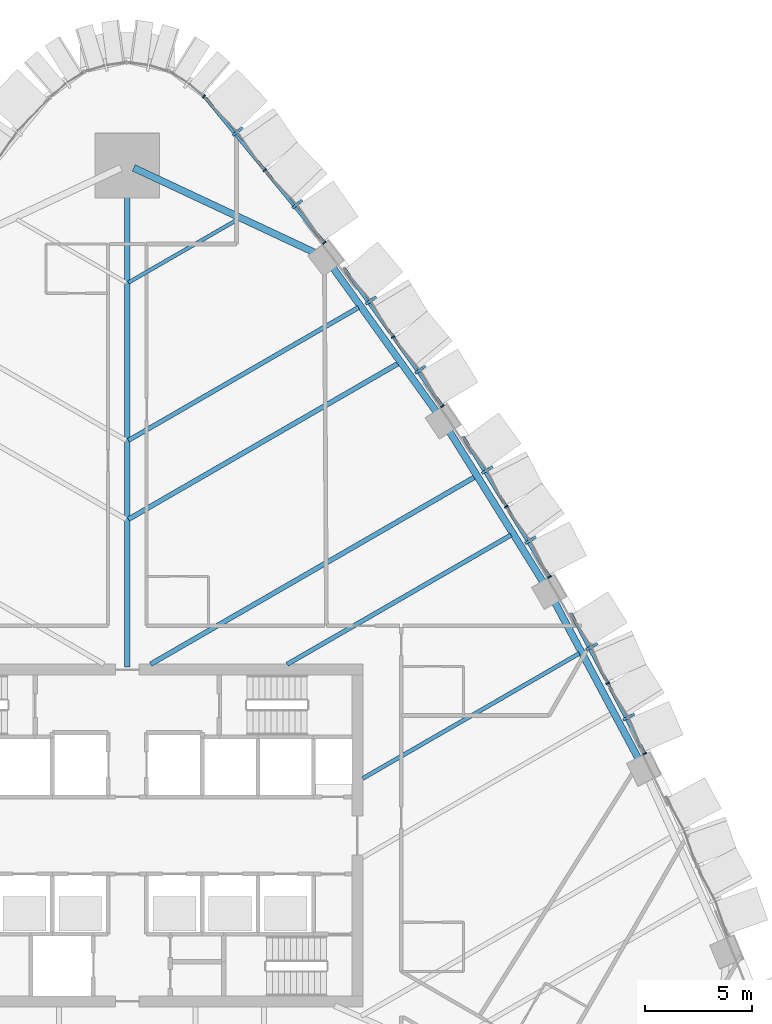
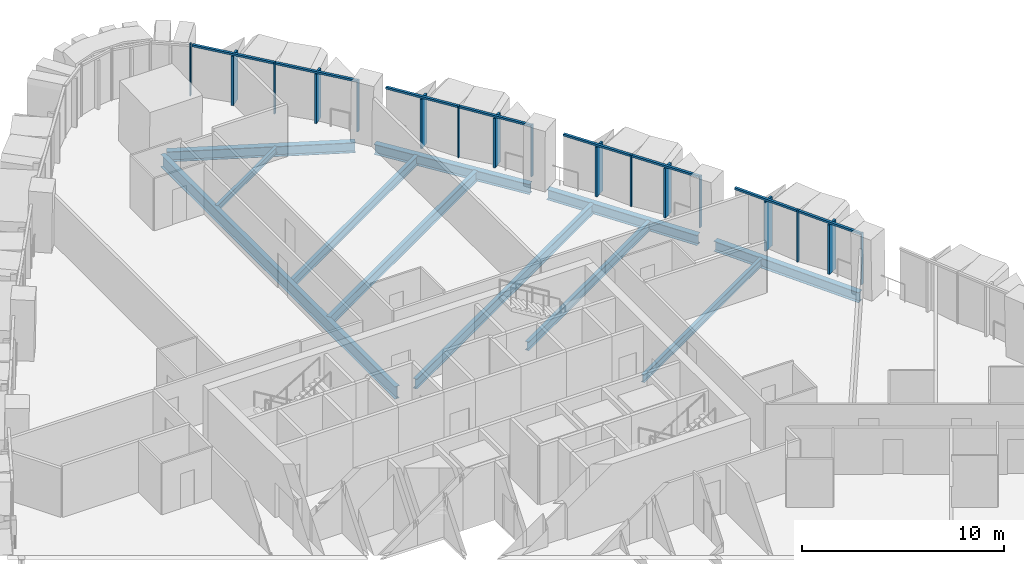
# One storey, part 7 of 23: 25 members, 11 beams, 5 elements without a shape of their own.
"""IFC4 building model written with IfcOpenShell, lengths in metres."""

from ifc_helpers import new_model, si_unit, direction, frame, origin, origin_2d, place, context, subcontext, project, spatial, rectangle, i_section, extrude, material, layer, layer_set, material_profile, profile_set, type_object, element, aggregate, save


model = new_model("IFC4")

# Units and contexts
model_context = context("Model", 3, precision=1e-05, world=origin(), true_north=direction((0.0, 1.0)))
body_context = subcontext(model_context, "Body", "Model", "MODEL_VIEW")
ifc_project = project(units=[si_unit("LENGTHUNIT", "METRE"), si_unit("AREAUNIT", "SQUARE_METRE"), si_unit("VOLUMEUNIT", "CUBIC_METRE"), si_unit("PLANEANGLEUNIT", "RADIAN"), si_unit("MASSUNIT", "GRAM", prefix="KILO")], contexts=[model_context])

# Site, building, storey
site_placement = place(None, origin())
site = spatial("IfcSite", under=ifc_project, at=site_placement, CompositionType="ELEMENT")
building_placement = place(site_placement, origin())
building = spatial("IfcBuilding", under=site, at=building_placement, Name="Sierra Prisma Convention Tower", CompositionType="ELEMENT")
storey_placement = place(building_placement, frame((0.0, 0.0, 51.699951171875)))
storey = spatial("IfcBuildingStorey", under=building, at=storey_placement, Name="L08", CompositionType="ELEMENT", Elevation=51.699951171875)

# Curtain wall, members
ifc_material_1 = material(Name="Aluminium and glass curtain wall", Category="aluminium")
ifc_layer = layer(ifc_material_1, 0.179931640625)
ifc_layer_set = layer_set([ifc_layer], Name="CW-2 Faceted crystal curtain wall")
curtain_wall_type = type_object("IfcCurtainWallType", Name="CW-2 Faceted crystal curtain wall", PredefinedType="NOTDEFINED", material=ifc_layer_set)
curtain_wall_1_placement = place(storey_placement, origin())
curtain_wall_1 = element("IfcCurtainWall", 1, at=curtain_wall_1_placement, inside=storey, type_object=curtain_wall_type, Name="CW-2 NE3 L08", PredefinedType="NOTDEFINED")
ifc_material_2 = material(Name="Aluminium 6063-T6 bronze anodised", Category="aluminium")
ifc_material_profile_1 = material_profile(ifc_material_2, rectangle(XDim=0.1201171875, YDim=0.60009765625, at=origin_2d()), Name="ALU RIDGE BLADE 120x600")
ifc_profile_set_1 = profile_set([ifc_material_profile_1], Name="Aluminium 6063-T6 bronze anodised")
member_type_1 = type_object("IfcMemberType", Name="CW hip bronze", PredefinedType="MULLION", material=ifc_profile_set_1)
member_1_placement = place(storey_placement, frame((23.431396484375, 5.53466796875, 0.0), z_axis=(0.0, 0.0, 1.0), x_axis=(-0.466051898394, 0.884757383695, 0.0)))
member_1 = element("IfcMember", 2, at=member_1_placement, type_object=member_type_1, Name="CW-2 ridge NE3.1", PredefinedType="MULLION", context=body_context, shape_type="SweptSolid", body=[
    extrude(rectangle(XDim=0.1201171875, YDim=0.60009765625, at=origin_2d()), origin(), (0.0, 0.0, 1.0), 2.97998046875),
])
member_2_placement = place(storey_placement, frame((21.70068359375, 8.820068359375, 0.0), z_axis=(0.0, 0.0, 1.0), x_axis=(-0.466051898394, 0.884757383695, 0.0)))
member_2 = element("IfcMember", 3, at=member_2_placement, type_object=member_type_1, Name="CW-2 ridge NE3.2", PredefinedType="MULLION", context=body_context, shape_type="SweptSolid", body=[
    extrude(rectangle(XDim=0.1201171875, YDim=0.60009765625, at=origin_2d()), origin(), (0.0, 0.0, 1.0), 2.97998046875),
])

curtain_wall_2_placement = place(storey_placement, origin())
curtain_wall_2 = element("IfcCurtainWall", 4, at=curtain_wall_2_placement, inside=storey, type_object=curtain_wall_type, Name="CW-2 NE4 L08", PredefinedType="NOTDEFINED")
member_3_placement = place(storey_placement, frame((18.837646484375, 13.796875, 0.0), z_axis=(0.0, 0.0, 1.0), x_axis=(-0.524691664455, 0.85129234535, 0.0)))
member_3 = element("IfcMember", 5, at=member_3_placement, type_object=member_type_1, Name="CW-2 ridge NE4.1", PredefinedType="MULLION", context=body_context, shape_type="SweptSolid", body=[
    extrude(rectangle(XDim=0.1201171875, YDim=0.60009765625, at=origin_2d()), origin(), (0.0, 0.0, 1.0), 2.97998046875),
])
member_4_placement = place(storey_placement, frame((16.816650390625, 17.07568359375, 0.0), z_axis=(0.0, 0.0, 1.0), x_axis=(-0.524691664455, 0.85129234535, 0.0)))
member_4 = element("IfcMember", 6, at=member_4_placement, type_object=member_type_1, Name="CW-2 ridge NE4.2", PredefinedType="MULLION", context=body_context, shape_type="SweptSolid", body=[
    extrude(rectangle(XDim=0.1201171875, YDim=0.60009765625, at=origin_2d()), origin(), (0.0, 0.0, 1.0), 2.97998046875),
])

curtain_wall_3_placement = place(storey_placement, origin())
curtain_wall_3 = element("IfcCurtainWall", 7, at=curtain_wall_3_placement, inside=storey, type_object=curtain_wall_type, Name="CW-2 NE5 L08", PredefinedType="NOTDEFINED")
member_5_placement = place(storey_placement, frame((13.692626953125, 21.759033203125, 0.0), z_axis=(0.0, 0.0, 1.0), x_axis=(-0.580939607308, 0.813946664506, 0.0)))
member_5 = element("IfcMember", 8, at=member_5_placement, type_object=member_type_1, Name="CW-2 ridge NE5.1", PredefinedType="MULLION", context=body_context, shape_type="SweptSolid", body=[
    extrude(rectangle(XDim=0.1201171875, YDim=0.60009765625, at=origin_2d()), origin(), (0.0, 0.0, 1.0), 2.97998046875),
])
member_6_placement = place(storey_placement, frame((11.385009765625, 24.9921875, 0.0), z_axis=(0.0, 0.0, 1.0), x_axis=(-0.580939607308, 0.813946664506, 0.0)))
member_6 = element("IfcMember", 9, at=member_6_placement, type_object=member_type_1, Name="CW-2 ridge NE5.2", PredefinedType="MULLION", context=body_context, shape_type="SweptSolid", body=[
    extrude(rectangle(XDim=0.1201171875, YDim=0.60009765625, at=origin_2d()), origin(), (0.0, 0.0, 1.0), 2.97998046875),
])

curtain_wall_4_placement = place(storey_placement, origin())
curtain_wall_4 = element("IfcCurtainWall", 10, at=curtain_wall_4_placement, inside=storey, type_object=curtain_wall_type, Name="CW-2 NE6 L08", PredefinedType="NOTDEFINED")
member_7_placement = place(storey_placement, frame((7.942626953125, 29.490234375, 0.0), z_axis=(0.0, 0.0, 1.0), x_axis=(-0.634539318992, 0.772890582588, 0.0)))
member_7 = element("IfcMember", 11, at=member_7_placement, type_object=member_type_1, Name="CW-2 ridge NE6.1", PredefinedType="MULLION", context=body_context, shape_type="SweptSolid", body=[
    extrude(rectangle(XDim=0.1201171875, YDim=0.60009765625, at=origin_2d()), origin(), (0.0, 0.0, 1.0), 2.97998046875),
])
member_8_placement = place(storey_placement, frame((5.15673828125, 32.883544921875, 0.0), z_axis=(0.0, 0.0, 1.0), x_axis=(-0.634539318992, 0.772890582588, 0.0)))
member_8 = element("IfcMember", 12, at=member_8_placement, type_object=member_type_1, Name="CW-2 ridge NE6.2", PredefinedType="MULLION", context=body_context, shape_type="SweptSolid", body=[
    extrude(rectangle(XDim=0.1201171875, YDim=0.60009765625, at=origin_2d()), origin(), (0.0, 0.0, 1.0), 2.97998046875),
])

# Member
ifc_material_3 = material(Name="Aluminium 6063-T6 bronze anodised", Category="aluminium")
ifc_material_profile_2 = material_profile(ifc_material_3, rectangle(XDim=0.179931640625, YDim=0.070068359375, at=origin_2d()), Name="ALU MULLION 70x180")
ifc_profile_set_2 = profile_set([ifc_material_profile_2], Name="Aluminium 6063-T6 bronze anodised")
member_type_2 = type_object("IfcMemberType", Name="CW mullion bronze", PredefinedType="MULLION", material=ifc_profile_set_2)
member_9_placement = place(storey_placement, frame((24.169921875, 3.824951171875, 0.0), z_axis=(0.0, 0.0, 1.0), x_axis=(-0.884757383695, -0.466051898394, 0.0)))
member_9 = element("IfcMember", 13, at=member_9_placement, type_object=member_type_2, Name="CW-1 mullion NE3.1", PredefinedType="MULLION", context=body_context, shape_type="SweptSolid", body=[
    extrude(rectangle(XDim=0.179931640625, YDim=0.070068359375, at=origin_2d()), origin(), (0.0, 0.0, 1.0), 3.10009765625),
])

member_10_placement = place(storey_placement, frame((22.439208984375, 7.110595703125, 0.0), z_axis=(0.0, 0.0, 1.0), x_axis=(-0.884757383695, -0.466051898394, 0.0)))
member_10 = element("IfcMember", 14, at=member_10_placement, type_object=member_type_2, Name="CW-1 mullion NE3.2", PredefinedType="MULLION", context=body_context, shape_type="SweptSolid", body=[
    extrude(rectangle(XDim=0.179931640625, YDim=0.070068359375, at=origin_2d()), origin(), (0.0, 0.0, 1.0), 3.10009765625),
])

member_11_placement = place(storey_placement, frame((19.721435546875, 12.079345703125, 0.0), z_axis=(0.0, 0.0, 1.0), x_axis=(-0.85129234535, -0.524691664455, 0.0)))
member_11 = element("IfcMember", 15, at=member_11_placement, type_object=member_type_2, Name="CW-1 mullion NE4.1", PredefinedType="MULLION", context=body_context, shape_type="SweptSolid", body=[
    extrude(rectangle(XDim=0.179931640625, YDim=0.070068359375, at=origin_2d()), origin(), (0.0, 0.0, 1.0), 3.10009765625),
])

member_12_placement = place(storey_placement, frame((17.700439453125, 15.358154296875, 0.0), z_axis=(0.0, 0.0, 1.0), x_axis=(-0.85129234535, -0.524691664455, 0.0)))
member_12 = element("IfcMember", 16, at=member_12_placement, type_object=member_type_2, Name="CW-1 mullion NE4.2", PredefinedType="MULLION", context=body_context, shape_type="SweptSolid", body=[
    extrude(rectangle(XDim=0.179931640625, YDim=0.070068359375, at=origin_2d()), origin(), (0.0, 0.0, 1.0), 3.10009765625),
])

member_13_placement = place(storey_placement, frame((14.7216796875, 20.052978515625, 0.0), z_axis=(0.0, 0.0, 1.0), x_axis=(-0.813946664506, -0.580939607308, 0.0)))
member_13 = element("IfcMember", 17, at=member_13_placement, type_object=member_type_2, Name="CW-1 mullion NE5.1", PredefinedType="MULLION", context=body_context, shape_type="SweptSolid", body=[
    extrude(rectangle(XDim=0.179931640625, YDim=0.070068359375, at=origin_2d()), origin(), (0.0, 0.0, 1.0), 3.10009765625),
])

member_14_placement = place(storey_placement, frame((12.413818359375, 23.286376953125, 0.0), z_axis=(0.0, 0.0, 1.0), x_axis=(-0.813946664506, -0.580939607308, 0.0)))
member_14 = element("IfcMember", 18, at=member_14_placement, type_object=member_type_2, Name="CW-1 mullion NE5.2", PredefinedType="MULLION", context=body_context, shape_type="SweptSolid", body=[
    extrude(rectangle(XDim=0.179931640625, YDim=0.070068359375, at=origin_2d()), origin(), (0.0, 0.0, 1.0), 3.10009765625),
])

member_15_placement = place(storey_placement, frame((9.2041015625, 27.685791015625, 0.0), z_axis=(0.0, 0.0, 1.0), x_axis=(-0.772890582588, -0.634539318992, 0.0)))
member_15 = element("IfcMember", 19, at=member_15_placement, type_object=member_type_2, Name="CW-1 mullion NE6.1", PredefinedType="MULLION", context=body_context, shape_type="SweptSolid", body=[
    extrude(rectangle(XDim=0.179931640625, YDim=0.070068359375, at=origin_2d()), origin(), (0.0, 0.0, 1.0), 3.10009765625),
])

member_16_placement = place(storey_placement, frame((6.418212890625, 31.0791015625, 0.0), z_axis=(0.0, 0.0, 1.0), x_axis=(-0.772890582588, -0.634539318992, 0.0)))
member_16 = element("IfcMember", 20, at=member_16_placement, type_object=member_type_2, Name="CW-1 mullion NE6.2", PredefinedType="MULLION", context=body_context, shape_type="SweptSolid", body=[
    extrude(rectangle(XDim=0.179931640625, YDim=0.070068359375, at=origin_2d()), origin(), (0.0, 0.0, 1.0), 3.10009765625),
])

# Curtain wall, member
curtain_wall_5_placement = place(storey_placement, origin())
curtain_wall_5 = element("IfcCurtainWall", 21, at=curtain_wall_5_placement, inside=storey, type_object=curtain_wall_type, Name="CW-2 N1 L08", PredefinedType="NOTDEFINED")
member_17_placement = place(storey_placement, frame((3.582275390625, 34.520263671875, 0.0), z_axis=(0.0, 0.0, 1.0), x_axis=(-0.594958773101, -0.803756218209, 0.0)))
member_17 = element("IfcMember", 22, at=member_17_placement, type_object=member_type_2, Name="CW-1 mullion N1.1", PredefinedType="MULLION", context=body_context, shape_type="SweptSolid", body=[
    extrude(rectangle(XDim=0.179931640625, YDim=0.070068359375, at=origin_2d()), origin(), (0.0, 0.0, 1.0), 3.10009765625),
])
aggregate(curtain_wall_5, [member_17])

# Member
ifc_material_4 = material(Name="Aluminium 6063-T6 bronze anodised", Category="aluminium")
ifc_material_profile_3 = material_profile(ifc_material_4, rectangle(XDim=0.139892578125, YDim=0.1201171875, at=origin_2d()), Name="ALU TRANSOM 120x140")
ifc_profile_set_3 = profile_set([ifc_material_profile_3], Name="Aluminium 6063-T6 bronze anodised")
member_type_3 = type_object("IfcMemberType", Name="CW transom bronze", PredefinedType="USERDEFINED", material=ifc_profile_set_3)
member_18_placement = place(storey_placement, frame((24.153564453125, 3.85595703125, 3.0400390625), z_axis=(-0.46603638557, 0.884765555006, 0.0), x_axis=(-0.884765555006, -0.46603638557, 0.0)))
member_18 = element("IfcMember", 23, at=member_18_placement, type_object=member_type_3, Name="CW-1 transom NE3.1", ObjectType="TRANSOM", PredefinedType="USERDEFINED", context=body_context, shape_type="SweptSolid", body=[
    extrude(rectangle(XDim=0.139892578125, YDim=0.1201171875, at=origin_2d()), origin(), (0.0, 0.0, 1.0), 3.6435546875),
])

member_19_placement = place(storey_placement, frame((22.4228515625, 7.1416015625, 3.0400390625), z_axis=(-0.466064016334, 0.884751000383, 0.0), x_axis=(-0.884751000383, -0.466064016334, 0.0)))
member_19 = element("IfcMember", 24, at=member_19_placement, type_object=member_type_3, Name="CW-1 transom NE3.2", ObjectType="TRANSOM", PredefinedType="USERDEFINED", context=body_context, shape_type="SweptSolid", body=[
    extrude(rectangle(XDim=0.139892578125, YDim=0.1201171875, at=origin_2d()), origin(), (0.0, 0.0, 1.0), 3.643310546875),
])

aggregate(curtain_wall_1, [member_9, member_10, member_18, member_1, member_19, member_2])

member_20_placement = place(storey_placement, frame((19.702880859375, 12.109375, 3.0400390625), z_axis=(-0.524713280954, 0.851279021702, 0.0), x_axis=(-0.851279021702, -0.524713280954, 0.0)))
member_20 = element("IfcMember", 25, at=member_20_placement, type_object=member_type_3, Name="CW-1 transom NE4.1", ObjectType="TRANSOM", PredefinedType="USERDEFINED", context=body_context, shape_type="SweptSolid", body=[
    extrude(rectangle(XDim=0.139892578125, YDim=0.1201171875, at=origin_2d()), origin(), (0.0, 0.0, 1.0), 3.78125),
])

member_21_placement = place(storey_placement, frame((17.68212890625, 15.387939453125, 3.0400390625), z_axis=(-0.524684442867, 0.851296796314, 0.0), x_axis=(-0.851296796314, -0.524684442867, 0.0)))
member_21 = element("IfcMember", 26, at=member_21_placement, type_object=member_type_3, Name="CW-1 transom NE4.2", ObjectType="TRANSOM", PredefinedType="USERDEFINED", context=body_context, shape_type="SweptSolid", body=[
    extrude(rectangle(XDim=0.139892578125, YDim=0.1201171875, at=origin_2d()), origin(), (0.0, 0.0, 1.0), 3.781494140625),
])

aggregate(curtain_wall_2, [member_11, member_12, member_20, member_3, member_21, member_4])

member_22_placement = place(storey_placement, frame((14.701171875, 20.08154296875, 3.0400390625), z_axis=(-0.580954091363, 0.813936326581, 0.0), x_axis=(-0.813936326581, -0.580954091363, 0.0)))
member_22 = element("IfcMember", 27, at=member_22_placement, type_object=member_type_3, Name="CW-1 transom NE5.1", ObjectType="TRANSOM", PredefinedType="USERDEFINED", context=body_context, shape_type="SweptSolid", body=[
    extrude(rectangle(XDim=0.139892578125, YDim=0.1201171875, at=origin_2d()), origin(), (0.0, 0.0, 1.0), 3.90234375),
])

member_23_placement = place(storey_placement, frame((12.3935546875, 23.31494140625, 3.0400390625), z_axis=(-0.580954091363, 0.813936326581, 0.0), x_axis=(-0.813936326581, -0.580954091363, 0.0)))
member_23 = element("IfcMember", 28, at=member_23_placement, type_object=member_type_3, Name="CW-1 transom NE5.2", ObjectType="TRANSOM", PredefinedType="USERDEFINED", context=body_context, shape_type="SweptSolid", body=[
    extrude(rectangle(XDim=0.139892578125, YDim=0.1201171875, at=origin_2d()), origin(), (0.0, 0.0, 1.0), 3.90234375),
])

aggregate(curtain_wall_3, [member_13, member_14, member_22, member_5, member_23, member_6])

member_24_placement = place(storey_placement, frame((9.181884765625, 27.712890625, 3.0400390625), z_axis=(-0.634547795824, 0.772883623073, 0.0), x_axis=(-0.772883623073, -0.634547795824, 0.0)))
member_24 = element("IfcMember", 29, at=member_24_placement, type_object=member_type_3, Name="CW-1 transom NE6.1", ObjectType="TRANSOM", PredefinedType="USERDEFINED", context=body_context, shape_type="SweptSolid", body=[
    extrude(rectangle(XDim=0.139892578125, YDim=0.1201171875, at=origin_2d()), origin(), (0.0, 0.0, 1.0), 4.3203125),
])

member_25_placement = place(storey_placement, frame((6.396240234375, 31.106201171875, 3.0400390625), z_axis=(-0.634547795824, 0.772883623073, 0.0), x_axis=(-0.772883623073, -0.634547795824, 0.0)))
member_25 = element("IfcMember", 30, at=member_25_placement, type_object=member_type_3, Name="CW-1 transom NE6.2", ObjectType="TRANSOM", PredefinedType="USERDEFINED", context=body_context, shape_type="SweptSolid", body=[
    extrude(rectangle(XDim=0.139892578125, YDim=0.1201171875, at=origin_2d()), origin(), (0.0, 0.0, 1.0), 4.3203125),
])

aggregate(curtain_wall_4, [member_15, member_16, member_24, member_7, member_25, member_8])

# Beams
ifc_material_5 = material(Name="Steel ASTM A992 Gr 50", Category="steel")
ifc_material_profile_4 = material_profile(ifc_material_5, i_section(OverallWidth=0.172119140625, OverallDepth=0.35791015625, WebThickness=0.0078125, FlangeThickness=0.01318359375, at=origin_2d()), Name="W360x57")
ifc_profile_set_4 = profile_set([ifc_material_profile_4], Name="Steel ASTM A992 Gr 50")
beam_type_1 = type_object("IfcBeamType", Name="Floor joist W360x57", PredefinedType="JOIST", material=ifc_profile_set_4)
beam_1_placement = place(storey_placement, frame((5.158447265625, 28.775634765625, -0.328857421875), z_axis=(-0.866017313224, -0.500014013, 0.0), x_axis=(0.500014013, -0.866017313224, 0.0)))
element("IfcBeam", 31, at=beam_1_placement, inside=storey, type_object=beam_type_1, Name="Floor joist L08 NE16", PredefinedType="JOIST", context=body_context, shape_type="SweptSolid", body=[
    extrude(i_section(OverallWidth=0.172119140625, OverallDepth=0.35791015625, WebThickness=0.0078125, FlangeThickness=0.01318359375, at=origin_2d()), origin(), (0.0, 0.0, 1.0), 5.895263671875),
])
ifc_material_6 = material(Name="Steel ASTM A992 Gr 50", Category="steel")
ifc_material_profile_5 = material_profile(ifc_material_6, i_section(OverallWidth=0.18994140625, OverallDepth=0.45703125, WebThickness=0.009033203125, FlangeThickness=0.014404296875, at=origin_2d()), Name="W460x74")
ifc_profile_set_5 = profile_set([ifc_material_profile_5], Name="Steel ASTM A992 Gr 50")
beam_type_2 = type_object("IfcBeamType", Name="Floor joist W460x74", PredefinedType="JOIST", material=ifc_profile_set_5)
beam_2_placement = place(storey_placement, frame((21.11669921875, 8.50634765625, -0.37841796875), z_axis=(-0.866027579816, -0.499996230984, 0.0), x_axis=(0.499996230984, -0.866027579816, 0.0)))
element("IfcBeam", 32, at=beam_2_placement, inside=storey, type_object=beam_type_2, Name="Floor joist L08 NE08", PredefinedType="JOIST", context=body_context, shape_type="SweptSolid", body=[
    extrude(i_section(OverallWidth=0.18994140625, OverallDepth=0.45703125, WebThickness=0.009033203125, FlangeThickness=0.014404296875, at=origin_2d()), origin(), (0.0, 0.0, 1.0), 11.681640625),
])
ifc_material_7 = material(Name="Steel ASTM A992 Gr 50", Category="steel")
ifc_material_profile_6 = material_profile(ifc_material_7, i_section(OverallWidth=0.208984375, OverallDepth=0.532958984375, WebThickness=0.01025390625, FlangeThickness=0.015625, at=origin_2d()), Name="W530x92")
ifc_profile_set_6 = profile_set([ifc_material_profile_6], Name="Steel ASTM A992 Gr 50")
beam_type_3 = type_object("IfcBeamType", Name="Floor joist W530x92", PredefinedType="JOIST", material=ifc_profile_set_6)
beam_3_placement = place(storey_placement, frame((17.925048828125, 14.034423828125, -0.41650390625), z_axis=(-0.866024899016, -0.500000874284, 0.0), x_axis=(0.500000874284, -0.866024899016, 0.0)))
element("IfcBeam", 33, at=beam_3_placement, inside=storey, type_object=beam_type_3, Name="Floor joist L08 NE10", PredefinedType="JOIST", context=body_context, shape_type="SweptSolid", body=[
    extrude(i_section(OverallWidth=0.208984375, OverallDepth=0.532958984375, WebThickness=0.01025390625, FlangeThickness=0.015625, at=origin_2d()), origin(), (0.0, 0.0, 1.0), 12.06884765625),
])
beam_4_placement = place(storey_placement, frame((10.800537109375, 24.662353515625, -0.41650390625), z_axis=(-0.866026371058, -0.499998324629, 0.0), x_axis=(0.499998324629, -0.866026371058, 0.0)))
element("IfcBeam", 34, at=beam_4_placement, inside=storey, type_object=beam_type_3, Name="Floor joist L08 NE14", PredefinedType="JOIST", context=body_context, shape_type="SweptSolid", body=[
    extrude(i_section(OverallWidth=0.208984375, OverallDepth=0.532958984375, WebThickness=0.01025390625, FlangeThickness=0.015625, at=origin_2d()), origin(), (0.0, 0.0, 1.0), 12.41015625),
])
ifc_material_8 = material(Name="Steel ASTM A992 Gr 50", Category="steel")
ifc_material_profile_7 = material_profile(ifc_material_8, i_section(OverallWidth=0.22802734375, OverallDepth=0.60302734375, WebThickness=0.010498046875, FlangeThickness=0.014892578125, at=origin_2d()), Name="W610x101")
ifc_profile_set_7 = profile_set([ifc_material_profile_7], Name="Steel ASTM A992 Gr 50")
beam_type_4 = type_object("IfcBeamType", Name="Floor joist W610x101", PredefinedType="JOIST", material=ifc_profile_set_7)
beam_5_placement = place(storey_placement, frame((16.23828125, 16.745849609375, -0.451416015625), z_axis=(-0.866024510222, -0.500001547693, 0.0), x_axis=(0.500001547693, -0.866024510222, 0.0)))
element("IfcBeam", 35, at=beam_5_placement, inside=storey, type_object=beam_type_4, Name="Floor joist L08 NE11", PredefinedType="JOIST", context=body_context, shape_type="SweptSolid", body=[
    extrude(i_section(OverallWidth=0.22802734375, OverallDepth=0.60302734375, WebThickness=0.010498046875, FlangeThickness=0.014892578125, at=origin_2d()), origin(), (0.0, 0.0, 1.0), 17.49169921875),
])
beam_6_placement = place(storey_placement, frame((12.670166015625, 22.056396484375, -0.451416015625), z_axis=(-0.866028755498, -0.499994194617, 0.0), x_axis=(0.499994194617, -0.866028755498, 0.0)))
element("IfcBeam", 36, at=beam_6_placement, inside=storey, type_object=beam_type_4, Name="Floor joist L08 NE13", PredefinedType="JOIST", context=body_context, shape_type="SweptSolid", body=[
    extrude(i_section(OverallWidth=0.22802734375, OverallDepth=0.60302734375, WebThickness=0.010498046875, FlangeThickness=0.014892578125, at=origin_2d()), origin(), (0.0, 0.0, 1.0), 14.569091796875),
])
ifc_material_9 = material(Name="Steel ASTM A992 Gr 50", Category="steel")
ifc_material_profile_8 = material_profile(ifc_material_9, i_section(OverallWidth=0.264892578125, OverallDepth=0.7529296875, WebThickness=0.01318359375, FlangeThickness=0.01708984375, at=origin_2d()), Name="W760x147")
ifc_profile_set_8 = profile_set([ifc_material_profile_8], Name="Steel ASTM A992 Gr 50")
beam_type_5 = type_object("IfcBeamType", Name="Radial girder W760x147", PredefinedType="BEAM", material=ifc_profile_set_8)
beam_7_placement = place(storey_placement, frame((0.0, 31.025390625, -0.5263671875), z_axis=(0.0, -1.0, 0.0), x_axis=(1.0, 0.0, 0.0)))
element("IfcBeam", 37, at=beam_7_placement, inside=storey, type_object=beam_type_5, Name="Radial girder L08 N", PredefinedType="BEAM", context=body_context, shape_type="SweptSolid", body=[
    extrude(i_section(OverallWidth=0.264892578125, OverallDepth=0.7529296875, WebThickness=0.01318359375, FlangeThickness=0.01708984375, at=origin_2d()), origin(), (0.0, 0.0, 1.0), 23.1455078125),
])
ifc_material_10 = material(Name="Steel ASTM A992 Gr 50", Category="steel")
ifc_material_profile_9 = material_profile(ifc_material_10, i_section(OverallWidth=0.324951171875, OverallDepth=0.615966796875, WebThickness=0.013916015625, FlangeThickness=0.021484375, at=origin_2d()), Name="W610x174")
ifc_profile_set_9 = profile_set([ifc_material_profile_9], Name="Steel ASTM A992 Gr 50")
beam_type_6 = type_object("IfcBeamType", Name="Spandrel beam W610x174", PredefinedType="BEAM", material=ifc_profile_set_9)
for number, where, z_axis, x_axis, name in (
    (38, (23.908203125, 3.520263671875, -0.4580078125), (-0.471226960967, 0.882011990428, 0.0), (-0.882011990428, -0.471226960967, 0.0), "Spandrel L08-09"),
    (39, (19.455810546875, 11.787109375, -0.4580078125), (-0.528253634333, 0.849086625624, 0.0), (-0.849086625624, -0.528253634333, 0.0), "Spandrel L08-10"),
):
    element("IfcBeam", number, at=place(storey_placement, frame(where, z_axis=z_axis, x_axis=x_axis)), inside=storey, type_object=beam_type_6, Name=name, PredefinedType="BEAM", context=body_context, shape_type="SweptSolid", body=[
        extrude(i_section(OverallWidth=0.324951171875, OverallDepth=0.615966796875, WebThickness=0.013916015625, FlangeThickness=0.021484375, at=origin_2d()), origin(), (0.0, 0.0, 1.0), 8.429931640625),
    ])
beam_8_placement = place(storey_placement, frame((14.468994140625, 19.742919921875, -0.4580078125), z_axis=(-0.582971056389, 0.812492921454, 0.0), x_axis=(-0.812492921454, -0.582971056389, 0.0)))
element("IfcBeam", 40, at=beam_8_placement, inside=storey, type_object=beam_type_6, Name="Spandrel L08-11", PredefinedType="BEAM", context=body_context, shape_type="SweptSolid", body=[
    extrude(i_section(OverallWidth=0.324951171875, OverallDepth=0.615966796875, WebThickness=0.013916015625, FlangeThickness=0.021484375, at=origin_2d()), origin(), (0.0, 0.0, 1.0), 8.4296875),
])
beam_9_placement = place(storey_placement, frame((8.771484375, 27.218017578125, -0.4580078125), z_axis=(-0.905630943545, 0.424066733068, 0.0), x_axis=(-0.424066733068, -0.905630943545, 0.0)))
element("IfcBeam", 41, at=beam_9_placement, inside=storey, type_object=beam_type_6, Name="Spandrel L08-12", PredefinedType="BEAM", context=body_context, shape_type="SweptSolid", body=[
    extrude(i_section(OverallWidth=0.324951171875, OverallDepth=0.615966796875, WebThickness=0.013916015625, FlangeThickness=0.021484375, at=origin_2d()), origin(), (0.0, 0.0, 1.0), 9.354248046875),
])

save(model, "model.ifc")
